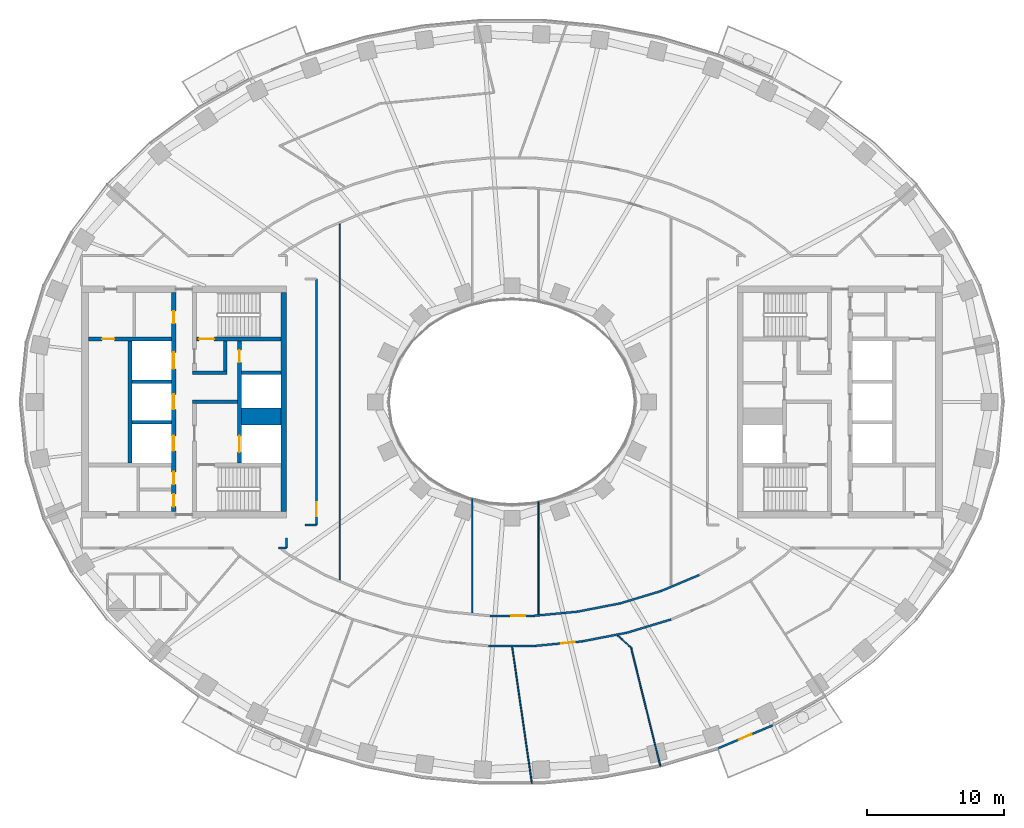
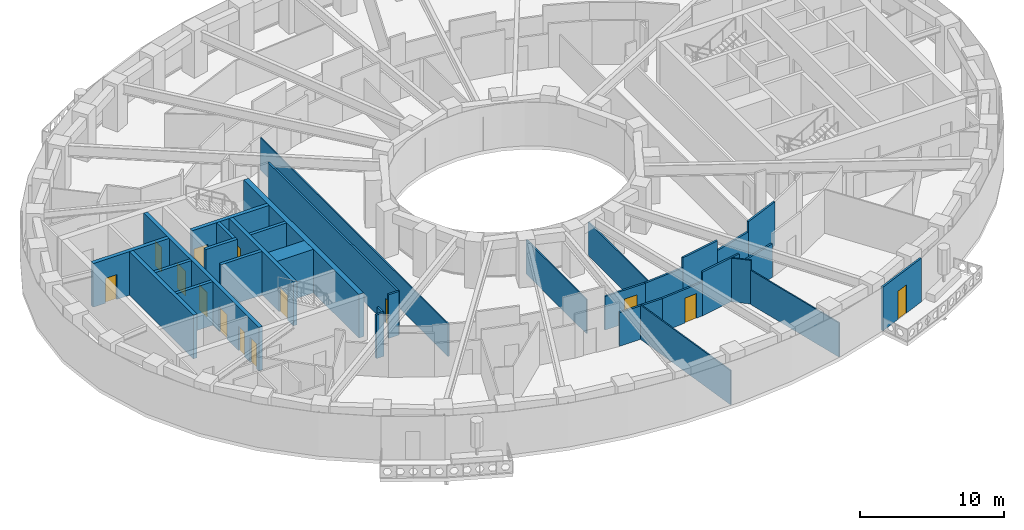
# One storey, part 4 of 16: 33 walls, 14 doors, 14 openings.
"""IFC4 building model written with IfcOpenShell, lengths in metres."""

from ifc_helpers import new_model, si_unit, direction, frame, frame_2d, origin, place, context, subcontext, project, spatial, rectangle, extrude, material, layer, layer_set, type_object, element, fill, save


model = new_model("IFC4")

# Units and contexts
model_context = context("Model", 3, precision=1e-05, world=origin(), true_north=direction((0.0, 1.0)))
body_context = subcontext(model_context, "Body", "Model", "MODEL_VIEW")
ifc_project = project(units=[si_unit("LENGTHUNIT", "METRE"), si_unit("AREAUNIT", "SQUARE_METRE"), si_unit("VOLUMEUNIT", "CUBIC_METRE"), si_unit("PLANEANGLEUNIT", "RADIAN"), si_unit("MASSUNIT", "GRAM", prefix="KILO")], contexts=[model_context])

# Site, building, storey
site_placement = place(None, origin())
site = spatial("IfcSite", under=ifc_project, at=site_placement, CompositionType="ELEMENT")
building_placement = place(site_placement, origin())
building = spatial("IfcBuilding", under=site, at=building_placement, Name="Noorbagh Ring Tower", CompositionType="ELEMENT")
storey_placement = place(building_placement, frame((0.0, 0.0, 116.0)))
storey = spatial("IfcBuildingStorey", under=building, at=storey_placement, Name="L26", CompositionType="ELEMENT", Elevation=116.0)

# Walls
ifc_material_1 = material(Name="Concrete C70/85", Category="concrete")
ifc_layer_1 = layer(ifc_material_1, 1.25)
ifc_layer_set_1 = layer_set([ifc_layer_1], Name="Concrete C70/85")
wall_type_1 = type_object("IfcWallType", Name="CORE-WALL-1250-C70-85-EI120", PredefinedType="SHEAR", material=ifc_layer_set_1)
wall_1_placement = place(storey_placement, frame((-16.89990234375, -1.074951171875, 0.0), z_axis=(0.0, 0.0, 1.0), x_axis=(-1.0, 0.0, 0.0)))
element("IfcWall", 1, at=wall_1_placement, inside=storey, type_object=wall_type_1, Name="Core wall W", PredefinedType="SHEAR", context=body_context, shape_type="SweptSolid", body=[
    extrude(rectangle(XDim=2.900146484375, YDim=1.25, at=frame_2d((1.4501953125, 0.0))), origin(), (0.0, 0.0, 1.0), 3.699951171875),
])
ifc_material_2 = material(Name="Concrete C70/85", Category="concrete")
ifc_layer_2 = layer(ifc_material_2, 0.25)
ifc_layer_set_2 = layer_set([ifc_layer_2], Name="Concrete C70/85")
wall_type_2 = type_object("IfcWallType", Name="CORE-WALL-250-C70-85-EI120", PredefinedType="SHEAR", material=ifc_layer_set_2)
for number, where, z_axis, x_axis, name in (
    (2, (-16.89990234375, 2.125, 0.0), (0.0, 0.0, 1.0), (-1.0, 0.0, 0.0), "Core wall W"),
    (3, (-24.89990234375, -1.47509765625, 0.0), (0.0, 0.0, 1.0), (-1.0, 0.0, 0.0), "Core wall W"),
    (4, (-24.89990234375, 1.47509765625, 0.0), (0.0, 0.0, 1.0), (-1.0, 0.0, 0.0), "Core wall W"),
):
    element("IfcWall", number, at=place(storey_placement, frame(where, z_axis=z_axis, x_axis=x_axis)), inside=storey, type_object=wall_type_2, Name=name, PredefinedType="SHEAR", context=body_context, shape_type="SweptSolid", body=[
        extrude(rectangle(XDim=2.900146484375, YDim=0.25, at=frame_2d((1.4501953125, 0.0))), origin(), (0.0, 0.0, 1.0), 3.699951171875),
    ])
ifc_material_3 = material(Name="Concrete C70/85", Category="concrete")
ifc_layer_3 = layer(ifc_material_3, 0.25)
ifc_layer_set_3 = layer_set([ifc_layer_3], Name="Concrete C70/85")
wall_type_3 = type_object("IfcWallType", Name="CORE-WALL-250-C70-85-EI240", PredefinedType="SHEAR", material=ifc_layer_set_3)
wall_2_placement = place(storey_placement, frame((-20.10009765625, 0.0, 0.0), z_axis=(0.0, 0.0, 1.0), x_axis=(-1.0, 0.0, 0.0)))
element("IfcWall", 5, at=wall_2_placement, inside=storey, type_object=wall_type_3, Name="Core wall W", PredefinedType="SHEAR", context=body_context, shape_type="SweptSolid", body=[
    extrude(rectangle(XDim=3.27978515625, YDim=0.25, at=frame_2d((1.639892578125, 0.0))), origin(), (0.0, 0.0, 1.0), 3.699951171875),
])
wall_3_placement = place(storey_placement, frame((-20.85009765625, 2.125, 0.0), z_axis=(0.0, 0.0, 1.0), x_axis=(-1.0, 0.0, 0.0)))
element("IfcWall", 6, at=wall_3_placement, inside=storey, type_object=wall_type_3, Name="Core wall W", PredefinedType="SHEAR", context=body_context, shape_type="SweptSolid", body=[
    extrude(rectangle(XDim=2.52978515625, YDim=0.25, at=frame_2d((1.264892578125, 0.0))), origin(), (0.0, 0.0, 1.0), 3.699951171875),
])
wall_4_placement = place(storey_placement, frame((-20.97509765625, 2.25, 0.0), z_axis=(0.0, 0.0, 1.0), x_axis=(0.0, 1.0, 0.0)))
element("IfcWall", 7, at=wall_4_placement, inside=storey, type_object=wall_type_3, Name="Core wall W", PredefinedType="SHEAR", context=body_context, shape_type="SweptSolid", body=[
    extrude(rectangle(XDim=2.199951171875, YDim=0.25, at=frame_2d((1.10009765625, 0.0))), origin(), (0.0, 0.0, 1.0), 3.699951171875),
])
ifc_material_4 = material(Name="Concrete C70/85", Category="concrete")
ifc_layer_4 = layer(ifc_material_4, 0.300048828125)
ifc_layer_set_4 = layer_set([ifc_layer_4], Name="Concrete C70/85")
wall_type_4 = type_object("IfcWallType", Name="CORE-WALL-300-C70-85-EI120", PredefinedType="SHEAR", material=ifc_layer_set_4)
wall_5_placement = place(storey_placement, frame((-27.949951171875, -4.449951171875, 0.0), z_axis=(0.0, 0.0, 1.0), x_axis=(0.0, 1.0, 0.0)))
element("IfcWall", 8, at=wall_5_placement, inside=storey, type_object=wall_type_4, Name="Core wall W", PredefinedType="SHEAR", context=body_context, shape_type="SweptSolid", body=[
    extrude(rectangle(XDim=8.89990234375, YDim=0.300048828125, at=frame_2d((4.449951171875, 0.0))), origin(), (0.0, 0.0, 1.0), 3.699951171875),
])

# Wall, openings, doors
wall_6_placement = place(storey_placement, frame((-19.949951171875, -4.449951171875, 0.0), z_axis=(0.0, 0.0, 1.0), x_axis=(0.0, 1.0, 0.0)))
wall_6 = element("IfcWall", 9, at=wall_6_placement, inside=storey, type_object=wall_type_4, Name="Core wall W", PredefinedType="SHEAR", context=body_context, shape_type="SweptSolid", body=[
    extrude(rectangle(XDim=8.89990234375, YDim=0.300048828125, at=frame_2d((4.449951171875, 0.0))), origin(), (0.0, 0.0, 1.0), 3.699951171875),
])
opening_1_placement = place(wall_6_placement, frame((0.77490234375, 0.0, 0.0)))
opening_1 = element("IfcOpeningElement", 10, at=opening_1_placement, cuts=wall_6, Name="Opening L26-CW01", PredefinedType="OPENING", context=body_context, shape_type="SweptSolid", body=[
    extrude(rectangle(XDim=1.199951171875, YDim=2.10009765625, at=frame_2d((0.60009765625, 1.050048828125))), frame((0.0, 0.16015625, 0.0), z_axis=(0.0, -1.0, 0.0), x_axis=(1.0, 0.0, 0.0)), (0.0, 0.0, 1.0), 0.320068359375),
])
opening_2_placement = place(wall_6_placement, frame((7.35009765625, 0.0, 0.0)))
opening_2 = element("IfcOpeningElement", 11, at=opening_2_placement, cuts=wall_6, Name="Opening L26-CW11", PredefinedType="OPENING", context=body_context, shape_type="SweptSolid", body=[
    extrude(rectangle(XDim=0.89990234375, YDim=2.10009765625, at=frame_2d((0.449951171875, 1.050048828125))), frame((0.0, 0.16015625, 0.0), z_axis=(0.0, -1.0, 0.0), x_axis=(1.0, 0.0, 0.0)), (0.0, 0.0, 1.0), 0.320068359375),
])
ifc_material_5 = material(Name="Steel door leaf", Category="steel")
door_type_1 = type_object("IfcDoorType", Name="CORE-DOOR-DROOM", OperationType="SINGLE_SWING_LEFT", PredefinedType="DOOR", material=ifc_material_5)
door_1_placement = place(opening_2_placement, origin())
door_1 = element("IfcDoor", 12, at=door_1_placement, inside=storey, type_object=door_type_1, Name="Core room door L26-CW11", OperationType="SINGLE_SWING_LEFT", OverallHeight=2.10009765625, OverallWidth=0.89990234375, PredefinedType="DOOR", context=body_context, shape_type="SweptSolid", body=[
    extrude(rectangle(XDim=0.89990234375, YDim=2.10009765625, at=frame_2d((0.449951171875, 1.050048828125))), frame((0.0, 0.02490234375, 0.0), z_axis=(0.0, -1.0, 0.0), x_axis=(1.0, 0.0, 0.0)), (0.0, 0.0, 1.0), 0.050048828125),
])
fill(opening_2, door_1)
ifc_material_6 = material(Name="Steel door leaf", Category="steel")
door_type_2 = type_object("IfcDoorType", Name="CORE-DOOR-LDW", OperationType="DOUBLE_DOOR_SLIDING", PredefinedType="DOOR", material=ifc_material_6)
door_2_placement = place(opening_1_placement, origin())
door_2 = element("IfcDoor", 13, at=door_2_placement, inside=storey, type_object=door_type_2, Name="Landing door FF1 L26-CW01", OperationType="DOUBLE_DOOR_SLIDING", OverallHeight=2.10009765625, OverallWidth=1.199951171875, PredefinedType="DOOR", context=body_context, shape_type="SweptSolid", body=[
    extrude(rectangle(XDim=1.199951171875, YDim=2.10009765625, at=frame_2d((0.60009765625, 1.050048828125))), frame((0.0, 0.02490234375, 0.0), z_axis=(0.0, -1.0, 0.0), x_axis=(1.0, 0.0, 0.0)), (0.0, 0.0, 1.0), 0.050048828125),
])
fill(opening_1, door_2)

wall_7_placement = place(storey_placement, frame((-24.75, -8.0, 0.0), z_axis=(0.0, 0.0, 1.0), x_axis=(0.0, 1.0, 0.0)))
wall_7 = element("IfcWall", 14, at=wall_7_placement, inside=storey, type_object=wall_type_4, Name="Core wall W", PredefinedType="SHEAR", context=body_context, shape_type="SweptSolid", body=[
    extrude(rectangle(XDim=16.0, YDim=0.300048828125, at=frame_2d((8.0, 0.0))), origin(), (0.0, 0.0, 1.0), 3.699951171875),
])
opening_3_placement = place(wall_7_placement, frame((4.425048828125, 0.0, 0.0)))
opening_3 = element("IfcOpeningElement", 15, at=opening_3_placement, cuts=wall_7, Name="Opening L26-CW02", PredefinedType="OPENING", context=body_context, shape_type="SweptSolid", body=[
    extrude(rectangle(XDim=1.10009765625, YDim=2.10009765625, at=frame_2d((0.550048828125, 1.050048828125))), frame((0.0, 0.16015625, 0.0), z_axis=(0.0, -1.0, 0.0), x_axis=(1.0, 0.0, 0.0)), (0.0, 0.0, 1.0), 0.320068359375),
])
opening_4_placement = place(wall_7_placement, frame((7.449951171875, 0.0, 0.0)))
opening_4 = element("IfcOpeningElement", 16, at=opening_4_placement, cuts=wall_7, Name="Opening L26-CW03", PredefinedType="OPENING", context=body_context, shape_type="SweptSolid", body=[
    extrude(rectangle(XDim=1.10009765625, YDim=2.10009765625, at=frame_2d((0.550048828125, 1.050048828125))), frame((0.0, 0.16015625, 0.0), z_axis=(0.0, -1.0, 0.0), x_axis=(1.0, 0.0, 0.0)), (0.0, 0.0, 1.0), 0.320068359375),
])
opening_5_placement = place(wall_7_placement, frame((10.425048828125, 0.0, 0.0)))
opening_5 = element("IfcOpeningElement", 17, at=opening_5_placement, cuts=wall_7, Name="Opening L26-CW04", PredefinedType="OPENING", context=body_context, shape_type="SweptSolid", body=[
    extrude(rectangle(XDim=1.199951171875, YDim=2.10009765625, at=frame_2d((0.60009765625, 1.050048828125))), frame((0.0, 0.16015625, 0.0), z_axis=(0.0, -1.0, 0.0), x_axis=(1.0, 0.0, 0.0)), (0.0, 0.0, 1.0), 0.320068359375),
])
opening_6_placement = place(wall_7_placement, frame((13.75, 0.0, 0.0)))
opening_6 = element("IfcOpeningElement", 18, at=opening_6_placement, cuts=wall_7, Name="Opening L26-CW12", PredefinedType="OPENING", context=body_context, shape_type="SweptSolid", body=[
    extrude(rectangle(XDim=0.89990234375, YDim=2.10009765625, at=frame_2d((0.449951171875, 1.050048828125))), frame((0.0, 0.16015625, 0.0), z_axis=(0.0, -1.0, 0.0), x_axis=(1.0, 0.0, 0.0)), (0.0, 0.0, 1.0), 0.320068359375),
])
opening_7_placement = place(wall_7_placement, frame((1.97509765625, 0.0, 0.0)))
opening_7 = element("IfcOpeningElement", 19, at=opening_7_placement, cuts=wall_7, Name="Opening L26-CW14", PredefinedType="OPENING", context=body_context, shape_type="SweptSolid", body=[
    extrude(rectangle(XDim=0.89990234375, YDim=2.10009765625, at=frame_2d((0.449951171875, 1.050048828125))), frame((0.0, 0.16015625, 0.0), z_axis=(0.0, -1.0, 0.0), x_axis=(1.0, 0.0, 0.0)), (0.0, 0.0, 1.0), 0.320068359375),
])
opening_8_placement = place(wall_7_placement, frame((0.35009765625, 0.0, 0.0)))
opening_8 = element("IfcOpeningElement", 20, at=opening_8_placement, cuts=wall_7, Name="Opening L26-CW15", PredefinedType="OPENING", context=body_context, shape_type="SweptSolid", body=[
    extrude(rectangle(XDim=0.89990234375, YDim=2.10009765625, at=frame_2d((0.449951171875, 1.050048828125))), frame((0.0, 0.16015625, 0.0), z_axis=(0.0, -1.0, 0.0), x_axis=(1.0, 0.0, 0.0)), (0.0, 0.0, 1.0), 0.320068359375),
])
door_3_placement = place(opening_6_placement, origin())
door_3 = element("IfcDoor", 21, at=door_3_placement, inside=storey, type_object=door_type_1, Name="Core room door L26-CW12", OperationType="SINGLE_SWING_RIGHT", OverallHeight=2.10009765625, OverallWidth=0.89990234375, PredefinedType="DOOR", context=body_context, shape_type="SweptSolid", body=[
    extrude(rectangle(XDim=0.89990234375, YDim=2.10009765625, at=frame_2d((0.449951171875, 1.050048828125))), frame((0.0, 0.02490234375, 0.0), z_axis=(0.0, -1.0, 0.0), x_axis=(1.0, 0.0, 0.0)), (0.0, 0.0, 1.0), 0.050048828125),
])
fill(opening_6, door_3)
door_4_placement = place(opening_7_placement, origin())
door_4 = element("IfcDoor", 22, at=door_4_placement, inside=storey, type_object=door_type_1, Name="Core room door L26-CW14", OperationType="SINGLE_SWING_RIGHT", OverallHeight=2.10009765625, OverallWidth=0.89990234375, PredefinedType="DOOR", context=body_context, shape_type="SweptSolid", body=[
    extrude(rectangle(XDim=0.89990234375, YDim=2.10009765625, at=frame_2d((0.449951171875, 1.050048828125))), frame((0.0, 0.02490234375, 0.0), z_axis=(0.0, -1.0, 0.0), x_axis=(1.0, 0.0, 0.0)), (0.0, 0.0, 1.0), 0.050048828125),
])
fill(opening_7, door_4)
door_5_placement = place(opening_8_placement, origin())
door_5 = element("IfcDoor", 23, at=door_5_placement, inside=storey, type_object=door_type_1, Name="Core room door L26-CW15", OperationType="SINGLE_SWING_LEFT", OverallHeight=2.10009765625, OverallWidth=0.89990234375, PredefinedType="DOOR", context=body_context, shape_type="SweptSolid", body=[
    extrude(rectangle(XDim=0.89990234375, YDim=2.10009765625, at=frame_2d((0.449951171875, 1.050048828125))), frame((0.0, 0.02490234375, 0.0), z_axis=(0.0, -1.0, 0.0), x_axis=(1.0, 0.0, 0.0)), (0.0, 0.0, 1.0), 0.050048828125),
])
fill(opening_8, door_5)
ifc_material_7 = material(Name="Steel door leaf", Category="steel")
door_type_3 = type_object("IfcDoorType", Name="CORE-DOOR-LD", OperationType="DOUBLE_DOOR_SLIDING", PredefinedType="DOOR", material=ifc_material_7)
door_6_placement = place(opening_3_placement, origin())
door_6 = element("IfcDoor", 24, at=door_6_placement, inside=storey, type_object=door_type_3, Name="Landing door LR1 L26-CW02", OperationType="DOUBLE_DOOR_SLIDING", OverallHeight=2.10009765625, OverallWidth=1.10009765625, PredefinedType="DOOR", context=body_context, shape_type="SweptSolid", body=[
    extrude(rectangle(XDim=1.10009765625, YDim=2.10009765625, at=frame_2d((0.550048828125, 1.050048828125))), frame((0.0, 0.02490234375, 0.0), z_axis=(0.0, -1.0, 0.0), x_axis=(1.0, 0.0, 0.0)), (0.0, 0.0, 1.0), 0.050048828125),
])
fill(opening_3, door_6)
door_7_placement = place(opening_4_placement, origin())
door_7 = element("IfcDoor", 25, at=door_7_placement, inside=storey, type_object=door_type_3, Name="Landing door LR2 L26-CW03", OperationType="DOUBLE_DOOR_SLIDING", OverallHeight=2.10009765625, OverallWidth=1.10009765625, PredefinedType="DOOR", context=body_context, shape_type="SweptSolid", body=[
    extrude(rectangle(XDim=1.10009765625, YDim=2.10009765625, at=frame_2d((0.550048828125, 1.050048828125))), frame((0.0, 0.02490234375, 0.0), z_axis=(0.0, -1.0, 0.0), x_axis=(1.0, 0.0, 0.0)), (0.0, 0.0, 1.0), 0.050048828125),
])
fill(opening_4, door_7)
door_8_placement = place(opening_5_placement, origin())
door_8 = element("IfcDoor", 26, at=door_8_placement, inside=storey, type_object=door_type_2, Name="Landing door SV1 L26-CW04", OperationType="DOUBLE_DOOR_SLIDING", OverallHeight=2.10009765625, OverallWidth=1.199951171875, PredefinedType="DOOR", context=body_context, shape_type="SweptSolid", body=[
    extrude(rectangle(XDim=1.199951171875, YDim=2.10009765625, at=frame_2d((0.60009765625, 1.050048828125))), frame((0.0, 0.02490234375, 0.0), z_axis=(0.0, -1.0, 0.0), x_axis=(1.0, 0.0, 0.0)), (0.0, 0.0, 1.0), 0.050048828125),
])
fill(opening_5, door_8)

# Wall, opening, door
ifc_material_8 = material(Name="Concrete C70/85", Category="concrete")
ifc_layer_5 = layer(ifc_material_8, 0.300048828125)
ifc_layer_set_5 = layer_set([ifc_layer_5], Name="Concrete C70/85")
wall_type_5 = type_object("IfcWallType", Name="CORE-WALL-300-C70-85-EI240", PredefinedType="SHEAR", material=ifc_layer_set_5)
wall_8_placement = place(storey_placement, frame((-24.89990234375, 4.60009765625, 0.0), z_axis=(0.0, 0.0, 1.0), x_axis=(-1.0, 0.0, 0.0)))
wall_8 = element("IfcWall", 27, at=wall_8_placement, inside=storey, type_object=wall_type_5, Name="Core wall W", PredefinedType="SHEAR", context=body_context, shape_type="SweptSolid", body=[
    extrude(rectangle(XDim=6.10009765625, YDim=0.300048828125, at=frame_2d((3.050048828125, 0.0))), origin(), (0.0, 0.0, 1.0), 3.699951171875),
])
opening_9_placement = place(wall_8_placement, frame((4.199951171875, 0.0, 0.0)))
opening_9 = element("IfcOpeningElement", 28, at=opening_9_placement, cuts=wall_8, Name="Opening L26-CW17", PredefinedType="OPENING", context=body_context, shape_type="SweptSolid", body=[
    extrude(rectangle(XDim=0.89990234375, YDim=2.10009765625, at=frame_2d((0.449951171875, 1.050048828125))), frame((0.0, 0.16015625, 0.0), z_axis=(0.0, -1.0, 0.0), x_axis=(1.0, 0.0, 0.0)), (0.0, 0.0, 1.0), 0.320068359375),
])
door_9_placement = place(opening_9_placement, origin())
door_9 = element("IfcDoor", 29, at=door_9_placement, inside=storey, type_object=door_type_1, Name="Core room door L26-CW17", OperationType="SINGLE_SWING_LEFT", OverallHeight=2.10009765625, OverallWidth=0.89990234375, PredefinedType="DOOR", context=body_context, shape_type="SweptSolid", body=[
    extrude(rectangle(XDim=0.89990234375, YDim=2.10009765625, at=frame_2d((0.449951171875, 1.050048828125))), frame((0.0, 0.02490234375, 0.0), z_axis=(0.0, -1.0, 0.0), x_axis=(1.0, 0.0, 0.0)), (0.0, 0.0, 1.0), 0.050048828125),
])
fill(opening_9, door_9)

wall_9_placement = place(storey_placement, frame((-16.89990234375, 4.60009765625, 0.0), z_axis=(0.0, 0.0, 1.0), x_axis=(-1.0, 0.0, 0.0)))
wall_9 = element("IfcWall", 30, at=wall_9_placement, inside=storey, type_object=wall_type_5, Name="Core wall W", PredefinedType="SHEAR", context=body_context, shape_type="SweptSolid", body=[
    extrude(rectangle(XDim=6.18017578125, YDim=0.300048828125, at=frame_2d((3.090087890625, 0.0))), origin(), (0.0, 0.0, 1.0), 3.699951171875),
])
opening_10_placement = place(wall_9_placement, frame((4.89990234375, 0.0, 0.0)))
opening_10 = element("IfcOpeningElement", 31, at=opening_10_placement, cuts=wall_9, Name="Opening L26-CW05", PredefinedType="OPENING", context=body_context, shape_type="SweptSolid", body=[
    extrude(rectangle(XDim=1.10009765625, YDim=2.10009765625, at=frame_2d((0.550048828125, 1.050048828125))), frame((0.0, 0.16015625, 0.0), z_axis=(0.0, -1.0, 0.0), x_axis=(1.0, 0.0, 0.0)), (0.0, 0.0, 1.0), 0.320068359375),
])
ifc_material_9 = material(Name="Steel door leaf", Category="steel")
door_type_4 = type_object("IfcDoorType", Name="CORE-DOOR-DSTAIR", OperationType="SINGLE_SWING_LEFT", PredefinedType="DOOR", material=ifc_material_9)
door_10_placement = place(opening_10_placement, origin())
door_10 = element("IfcDoor", 32, at=door_10_placement, inside=storey, type_object=door_type_4, Name="Stair door ST1 L26-CW05", OperationType="SINGLE_SWING_RIGHT", OverallHeight=2.10009765625, OverallWidth=1.10009765625, PredefinedType="DOOR", context=body_context, shape_type="SweptSolid", body=[
    extrude(rectangle(XDim=1.10009765625, YDim=2.10009765625, at=frame_2d((0.550048828125, 1.050048828125))), frame((0.0, 0.02490234375, 0.0), z_axis=(0.0, -1.0, 0.0), x_axis=(1.0, 0.0, 0.0)), (0.0, 0.0, 1.0), 0.050048828125),
])
fill(opening_10, door_10)

# Walls
ifc_material_10 = material(Name="Concrete C70/85", Category="concrete")
ifc_layer_6 = layer(ifc_material_10, 0.39990234375)
ifc_layer_set_6 = layer_set([ifc_layer_6], Name="Concrete C70/85")
wall_type_6 = type_object("IfcWallType", Name="CORE-WALL-400-C70-85-EI240", PredefinedType="SHEAR", material=ifc_layer_set_6)
wall_10_placement = place(storey_placement, frame((-16.699951171875, -8.0, 0.0), z_axis=(0.0, 0.0, 1.0), x_axis=(0.0, 1.0, 0.0)))
element("IfcWall", 33, at=wall_10_placement, inside=storey, type_object=wall_type_6, Name="Core wall W", PredefinedType="SHEAR", context=body_context, shape_type="SweptSolid", body=[
    extrude(rectangle(XDim=16.0, YDim=0.39990234375, at=frame_2d((8.0, 0.0))), origin(), (0.0, 0.0, 1.0), 3.699951171875),
])
ifc_material_11 = material(Name="Gypsum board on steel studs", Category="steel")
ifc_layer_7 = layer(ifc_material_11, 0.14990234375)
ifc_layer_set_7 = layer_set([ifc_layer_7], Name="Gypsum board on steel studs")
wall_type_7 = type_object("IfcWallType", Name="CORRIDOR PARTITION 150 EI 30", PredefinedType="PARTITIONING", material=ifc_layer_set_7)
wall_11_placement = place(storey_placement, frame((-17.094970703125, -10.699951171875, 0.0), z_axis=(0.0, 0.0, 1.0), x_axis=(1.0, 0.0, 0.0)))
element("IfcWall", 34, at=wall_11_placement, inside=storey, type_object=wall_type_7, Name="L26/wall/P27", PredefinedType="PARTITIONING", context=body_context, shape_type="SweptSolid", body=[
    extrude(rectangle(XDim=0.594970703125, YDim=0.14990234375, at=frame_2d((0.29736328125, 0.0))), origin(), (0.0, 0.0, 1.0), 3.699951171875),
])
wall_12_placement = place(storey_placement, frame((-16.5, -10.699951171875, 0.0), z_axis=(0.0, 0.0, 1.0), x_axis=(0.0, 1.0, 0.0)))
element("IfcWall", 35, at=wall_12_placement, inside=storey, type_object=wall_type_7, Name="L26/wall/P31", PredefinedType="PARTITIONING", context=body_context, shape_type="SweptSolid", body=[
    extrude(rectangle(XDim=0.73583984375, YDim=0.14990234375, at=frame_2d((0.367919921875, 0.0))), origin(), (0.0, 0.0, 1.0), 3.699951171875),
])
wall_13_placement = place(storey_placement, frame((-15.134033203125, -9.0, 0.0), z_axis=(0.0, 0.0, 1.0), x_axis=(1.0, 0.0, 0.0)))
element("IfcWall", 36, at=wall_13_placement, inside=storey, type_object=wall_type_7, Name="L26/wall/P35", PredefinedType="PARTITIONING", context=body_context, shape_type="SweptSolid", body=[
    extrude(rectangle(XDim=0.833984375, YDim=0.14990234375, at=frame_2d((0.4169921875, 0.0))), origin(), (0.0, 0.0, 1.0), 3.699951171875),
])

# Wall, opening, door
wall_14_placement = place(storey_placement, frame((-14.300048828125, -9.0, 0.0), z_axis=(0.0, 0.0, 1.0), x_axis=(0.0, 1.0, 0.0)))
wall_14 = element("IfcWall", 37, at=wall_14_placement, inside=storey, type_object=wall_type_7, Name="L26/wall/P40", PredefinedType="PARTITIONING", context=body_context, shape_type="SweptSolid", body=[
    extrude(rectangle(XDim=18.0, YDim=0.14990234375, at=frame_2d((9.0, 0.0))), origin(), (0.0, 0.0, 1.0), 3.699951171875),
])
opening_11_placement = place(wall_14_placement, frame((0.64990234375, 0.0, 0.0)))
opening_11 = element("IfcOpeningElement", 38, at=opening_11_placement, cuts=wall_14, Name="Opening D1", PredefinedType="OPENING", context=body_context, shape_type="SweptSolid", body=[
    extrude(rectangle(XDim=1.0, YDim=2.10009765625, at=frame_2d((0.5, 1.050048828125))), frame((0.0, 0.0849609375, 0.0), z_axis=(0.0, -1.0, 0.0), x_axis=(1.0, 0.0, 0.0)), (0.0, 0.0, 1.0), 0.169921875),
])
ifc_material_12 = material(Name="Timber, painted", Category="wood")
door_type_5 = type_object("IfcDoorType", Name="DOOR 1000 X 2100 FD30", OperationType="SINGLE_SWING_LEFT", PredefinedType="DOOR", material=ifc_material_12)
door_11_placement = place(opening_11_placement, origin())
door_11 = element("IfcDoor", 39, at=door_11_placement, inside=storey, type_object=door_type_5, Name="L26-D19", OperationType="SINGLE_SWING_LEFT", OverallHeight=2.10009765625, OverallWidth=1.0, PredefinedType="DOOR", context=body_context, shape_type="SweptSolid", body=[
    extrude(rectangle(XDim=1.0, YDim=2.10009765625, at=frame_2d((0.5, 1.050048828125))), frame((0.0, 0.02490234375, 0.0), z_axis=(0.0, -1.0, 0.0), x_axis=(1.0, 0.0, 0.0)), (0.0, 0.0, 1.0), 0.050048828125),
])
fill(opening_11, door_11)

# Wall
wall_15_placement = place(storey_placement, frame((-1.7119140625, -17.847900390625, 0.0), z_axis=(0.0, 0.0, 1.0), x_axis=(1.0, 0.0, 0.0)))
element("IfcWall", 40, at=wall_15_placement, inside=storey, type_object=wall_type_7, Name="L26/wall/P62", PredefinedType="PARTITIONING", context=body_context, shape_type="SweptSolid", body=[
    extrude(rectangle(XDim=3.423828125, YDim=0.14990234375, at=frame_2d((1.7119140625, 0.0))), origin(), (0.0, 0.0, 1.0), 2.85009765625),
])

# Wall, opening, door
wall_16_placement = place(storey_placement, frame((-1.60791015625, -15.64794921875, 0.0), z_axis=(0.0, 0.0, 1.0), x_axis=(1.0, 0.0, 0.0)))
wall_16 = element("IfcWall", 41, at=wall_16_placement, inside=storey, type_object=wall_type_7, Name="L26/wall/P64", PredefinedType="PARTITIONING", context=body_context, shape_type="SweptSolid", body=[
    extrude(rectangle(XDim=3.2158203125, YDim=0.14990234375, at=frame_2d((1.60791015625, 0.0))), origin(), (0.0, 0.0, 1.0), 2.85009765625),
])
opening_12_placement = place(wall_16_placement, frame((1.56591796875, 0.0, 0.0)))
opening_12 = element("IfcOpeningElement", 42, at=opening_12_placement, cuts=wall_16, Name="Opening D1", PredefinedType="OPENING", context=body_context, shape_type="SweptSolid", body=[
    extrude(rectangle(XDim=1.0, YDim=2.10009765625, at=frame_2d((0.5, 1.050048828125))), frame((0.0, 0.0849609375, 0.0), z_axis=(0.0, -1.0, 0.0), x_axis=(1.0, 0.0, 0.0)), (0.0, 0.0, 1.0), 0.169921875),
])
door_12_placement = place(opening_12_placement, origin())
door_12 = element("IfcDoor", 43, at=door_12_placement, inside=storey, type_object=door_type_5, Name="L26-D21", OperationType="SINGLE_SWING_LEFT", OverallHeight=2.10009765625, OverallWidth=1.0, PredefinedType="DOOR", context=body_context, shape_type="SweptSolid", body=[
    extrude(rectangle(XDim=1.0, YDim=2.10009765625, at=frame_2d((0.5, 1.050048828125))), frame((0.0, 0.02490234375, 0.0), z_axis=(0.0, -1.0, 0.0), x_axis=(1.0, 0.0, 0.0)), (0.0, 0.0, 1.0), 0.050048828125),
])
fill(opening_12, door_12)

# Wall
wall_17_placement = place(storey_placement, frame((1.60791015625, -15.64794921875, 0.0), z_axis=(0.0, 0.0, 1.0), x_axis=(0.995491705426, 0.09484863957, 0.0)))
element("IfcWall", 44, at=wall_17_placement, inside=storey, type_object=wall_type_7, Name="L26/wall/P69", PredefinedType="PARTITIONING", context=body_context, shape_type="SweptSolid", body=[
    extrude(rectangle(XDim=3.20458984375, YDim=0.14990234375, at=frame_2d((1.602294921875, 0.0))), origin(), (0.0, 0.0, 1.0), 2.85009765625),
])

# Wall, opening, door
wall_18_placement = place(storey_placement, frame((1.7119140625, -17.847900390625, 0.0), z_axis=(0.0, 0.0, 1.0), x_axis=(0.995466844572, 0.095109207532, 0.0)))
wall_18 = element("IfcWall", 45, at=wall_18_placement, inside=storey, type_object=wall_type_7, Name="L26/wall/P71", PredefinedType="PARTITIONING", context=body_context, shape_type="SweptSolid", body=[
    extrude(rectangle(XDim=3.41650390625, YDim=0.14990234375, at=frame_2d((1.708251953125, 0.0))), origin(), (0.0, 0.0, 1.0), 2.85009765625),
])
opening_13_placement = place(wall_18_placement, frame((1.89990234375, 0.0, 0.0)))
opening_13 = element("IfcOpeningElement", 46, at=opening_13_placement, cuts=wall_18, Name="Opening D1", PredefinedType="OPENING", context=body_context, shape_type="SweptSolid", body=[
    extrude(rectangle(XDim=1.0, YDim=2.10009765625, at=frame_2d((0.5, 1.050048828125))), frame((0.0, 0.0849609375, 0.0), z_axis=(0.0, -1.0, 0.0), x_axis=(1.0, 0.0, 0.0)), (0.0, 0.0, 1.0), 0.169921875),
])
door_13_placement = place(opening_13_placement, origin())
door_13 = element("IfcDoor", 47, at=door_13_placement, inside=storey, type_object=door_type_5, Name="L26-D12", OperationType="SINGLE_SWING_RIGHT", OverallHeight=2.10009765625, OverallWidth=1.0, PredefinedType="DOOR", context=body_context, shape_type="SweptSolid", body=[
    extrude(rectangle(XDim=1.0, YDim=2.10009765625, at=frame_2d((0.5, 1.050048828125))), frame((0.0, 0.02490234375, 0.0), z_axis=(0.0, -1.0, 0.0), x_axis=(1.0, 0.0, 0.0)), (0.0, 0.0, 1.0), 0.050048828125),
])
fill(opening_13, door_13)

# Walls
wall_19_placement = place(storey_placement, frame((4.798095703125, -15.343994140625, 0.0), z_axis=(0.0, 0.0, 1.0), x_axis=(0.981588545092, 0.191007665145, 0.0)))
element("IfcWall", 48, at=wall_19_placement, inside=storey, type_object=wall_type_7, Name="L26/wall/P75", PredefinedType="PARTITIONING", context=body_context, shape_type="SweptSolid", body=[
    extrude(rectangle(XDim=3.17236328125, YDim=0.14990234375, at=frame_2d((1.586181640625, 0.0))), origin(), (0.0, 0.0, 1.0), 3.699951171875),
])
wall_20_placement = place(storey_placement, frame((5.113037109375, -17.52294921875, 0.0), z_axis=(0.0, 0.0, 1.0), x_axis=(0.981690354374, 0.19048372143, 0.0)))
element("IfcWall", 49, at=wall_20_placement, inside=storey, type_object=wall_type_7, Name="L26/wall/P77", PredefinedType="PARTITIONING", context=body_context, shape_type="SweptSolid", body=[
    extrude(rectangle(XDim=3.36962890625, YDim=0.14990234375, at=frame_2d((1.684814453125, 0.0))), origin(), (0.0, 0.0, 1.0), 3.699951171875),
])
wall_21_placement = place(storey_placement, frame((7.912109375, -14.738037109375, 0.0), z_axis=(0.0, 0.0, 1.0), x_axis=(0.957606118849, 0.28808075455, 0.0)))
element("IfcWall", 50, at=wall_21_placement, inside=storey, type_object=wall_type_7, Name="L26/wall/P80", PredefinedType="PARTITIONING", context=body_context, shape_type="SweptSolid", body=[
    extrude(rectangle(XDim=3.116943359375, YDim=0.14990234375, at=frame_2d((1.55859375, 0.0))), origin(), (0.0, 0.0, 1.0), 2.85009765625),
])
wall_22_placement = place(storey_placement, frame((8.43994140625, -16.876953125, 0.0), z_axis=(0.0, 0.0, 1.0), x_axis=(0.957584891346, 0.288151307243, 0.0)))
element("IfcWall", 51, at=wall_22_placement, inside=storey, type_object=wall_type_7, Name="L26/wall/P82", PredefinedType="PARTITIONING", context=body_context, shape_type="SweptSolid", body=[
    extrude(rectangle(XDim=3.344970703125, YDim=0.14990234375, at=frame_2d((1.67236328125, 0.0))), origin(), (0.0, 0.0, 1.0), 2.85009765625),
])
wall_23_placement = place(storey_placement, frame((10.89697265625, -13.840087890625, 0.0), z_axis=(0.0, 0.0, 1.0), x_axis=(0.921751821358, 0.387780324183, 0.0)))
element("IfcWall", 52, at=wall_23_placement, inside=storey, type_object=wall_type_7, Name="L26/wall/P85", PredefinedType="PARTITIONING", context=body_context, shape_type="SweptSolid", body=[
    extrude(rectangle(XDim=3.037841796875, YDim=0.14990234375, at=frame_2d((1.51904296875, 0.0))), origin(), (0.0, 0.0, 1.0), 3.699951171875),
])

# Wall, opening, door
ifc_material_13 = material(Name="Insulated aluminium clad panel", Category="aluminium")
ifc_layer_8 = layer(ifc_material_13, 0.14990234375)
ifc_layer_set_8 = layer_set([ifc_layer_8], Name="Insulated aluminium clad panel")
wall_type_8 = type_object("IfcWallType", Name="ENV-WALL-DOOR", PredefinedType="STANDARD", material=ifc_layer_set_8)
wall_24_placement = place(storey_placement, frame((15.017822265625, -25.368896484375, 0.0), z_axis=(0.0, 0.0, 1.0), x_axis=(0.921816985161, 0.387625393736, 0.0)))
wall_24 = element("IfcWall", 53, at=wall_24_placement, inside=storey, type_object=wall_type_8, Name="Balcony door wall chord 39", PredefinedType="STANDARD", context=body_context, shape_type="SweptSolid", body=[
    extrude(rectangle(XDim=4.42578125, YDim=0.14990234375, at=frame_2d((2.212890625, 0.0))), origin(), (0.0, 0.0, 1.0), 3.699951171875),
])
opening_14_placement = place(wall_24_placement, frame((1.712890625, 0.0, 0.0)))
opening_14 = element("IfcOpeningElement", 54, at=opening_14_placement, cuts=wall_24, Name="Opening D-BL", PredefinedType="OPENING", context=body_context, shape_type="SweptSolid", body=[
    extrude(rectangle(XDim=1.0, YDim=2.39990234375, at=frame_2d((0.5, 1.199951171875))), frame((0.0, 0.0849609375, 0.0), z_axis=(0.0, -1.0, 0.0), x_axis=(1.0, 0.0, 0.0)), (0.0, 0.0, 1.0), 0.169921875),
])
ifc_material_14 = material(Name="Aluminium and glass", Category="aluminium")
door_type_6 = type_object("IfcDoorType", Name="ENV-DOOR-BALCONY", OperationType="SINGLE_SWING_LEFT", PredefinedType="DOOR", material=ifc_material_14)
door_14_placement = place(opening_14_placement, origin())
door_14 = element("IfcDoor", 55, at=door_14_placement, inside=storey, type_object=door_type_6, Name="Balcony door chord 39", OperationType="SINGLE_SWING_LEFT", OverallHeight=2.39990234375, OverallWidth=1.0, PredefinedType="DOOR", context=body_context, shape_type="SweptSolid", body=[
    extrude(rectangle(XDim=1.0, YDim=2.39990234375, at=frame_2d((0.5, 1.199951171875))), frame((0.0, 0.02490234375, 0.0), z_axis=(0.0, -1.0, 0.0), x_axis=(1.0, 0.0, 0.0)), (0.0, 0.0, 1.0), 0.050048828125),
])
fill(opening_14, door_14)

# Walls
ifc_material_15 = material(Name="Gypsum board on steel studs", Category="steel")
ifc_layer_9 = layer(ifc_material_15, 0.10009765625)
ifc_layer_set_9 = layer_set([ifc_layer_9], Name="Gypsum board on steel studs")
wall_type_9 = type_object("IfcWallType", Name="PARTITION 100 GYPSUM", PredefinedType="PARTITIONING", material=ifc_layer_set_9)
wall_25_placement = place(storey_placement, frame((-12.60498046875, -13.035888671875, 0.0), z_axis=(0.0, 0.0, 1.0), x_axis=(0.0, 1.0, 0.0)))
element("IfcWall", 56, at=wall_25_placement, inside=storey, type_object=wall_type_9, Name="L26/wall/P44", PredefinedType="PARTITIONING", context=body_context, shape_type="SweptSolid", body=[
    extrude(rectangle(XDim=26.07177734375, YDim=0.10009765625, at=frame_2d((13.035888671875, 0.0))), origin(), (0.0, 0.0, 1.0), 2.75),
])
wall_26_placement = place(storey_placement, frame((-2.908935546875, -15.445068359375, 0.0), z_axis=(0.0, 0.0, 1.0), x_axis=(0.0, 1.0, 0.0)))
element("IfcWall", 57, at=wall_26_placement, inside=storey, type_object=wall_type_9, Name="L26/wall/P59", PredefinedType="PARTITIONING", context=body_context, shape_type="SweptSolid", body=[
    extrude(rectangle(XDim=8.363037109375, YDim=0.10009765625, at=frame_2d((4.181640625, 0.0))), origin(), (0.0, 0.0, 1.0), 2.89990234375),
])
wall_27_placement = place(storey_placement, frame((0.011962890625, -17.923095703125, 0.0), z_axis=(0.0, 0.0, 1.0), x_axis=(0.14302591048, -0.989718944414, 0.0)))
element("IfcWall", 58, at=wall_27_placement, inside=storey, type_object=wall_type_9, Name="L26/wall/P66", PredefinedType="PARTITIONING", context=body_context, shape_type="SweptSolid", body=[
    extrude(rectangle(XDim=10.074462890625, YDim=0.10009765625, at=frame_2d((5.037109375, 0.0))), origin(), (0.0, 0.0, 1.0), 2.89990234375),
])
wall_28_placement = place(storey_placement, frame((1.93896484375, -15.537109375, 0.0), z_axis=(0.0, 0.0, 1.0), x_axis=(0.0, 1.0, 0.0)))
element("IfcWall", 59, at=wall_28_placement, inside=storey, type_object=wall_type_9, Name="L26/wall/P73", PredefinedType="PARTITIONING", context=body_context, shape_type="SweptSolid", body=[
    extrude(rectangle(XDim=8.230224609375, YDim=0.10009765625, at=frame_2d((4.115234375, 0.0))), origin(), (0.0, 0.0, 1.0), 2.85009765625),
])
wall_29_placement = place(storey_placement, frame((7.72802734375, -17.094970703125, 0.0), z_axis=(0.0, 0.0, 1.0), x_axis=(0.749403770292, -0.662113275106, 0.0)))
element("IfcWall", 60, at=wall_29_placement, inside=storey, type_object=wall_type_9, Name="L26/wall/P79", PredefinedType="PARTITIONING", context=body_context, shape_type="SweptSolid", body=[
    extrude(rectangle(XDim=1.395751953125, YDim=0.10009765625, at=frame_2d((0.69775390625, 0.0))), origin(), (0.0, 0.0, 1.0), 3.699951171875),
])
wall_30_placement = place(storey_placement, frame((8.72900390625, -18.0458984375, 0.0), z_axis=(0.0, 0.0, 1.0), x_axis=(0.240109518445, -0.970745805632, 0.0)))
element("IfcWall", 61, at=wall_30_placement, inside=storey, type_object=wall_type_9, Name="L26/wall/P84", PredefinedType="PARTITIONING", context=body_context, shape_type="SweptSolid", body=[
    extrude(rectangle(XDim=8.858154296875, YDim=0.10009765625, at=frame_2d((4.42919921875, 0.0))), origin(), (0.0, 0.0, 1.0), 2.89990234375),
])

save(model, "model.ifc")
